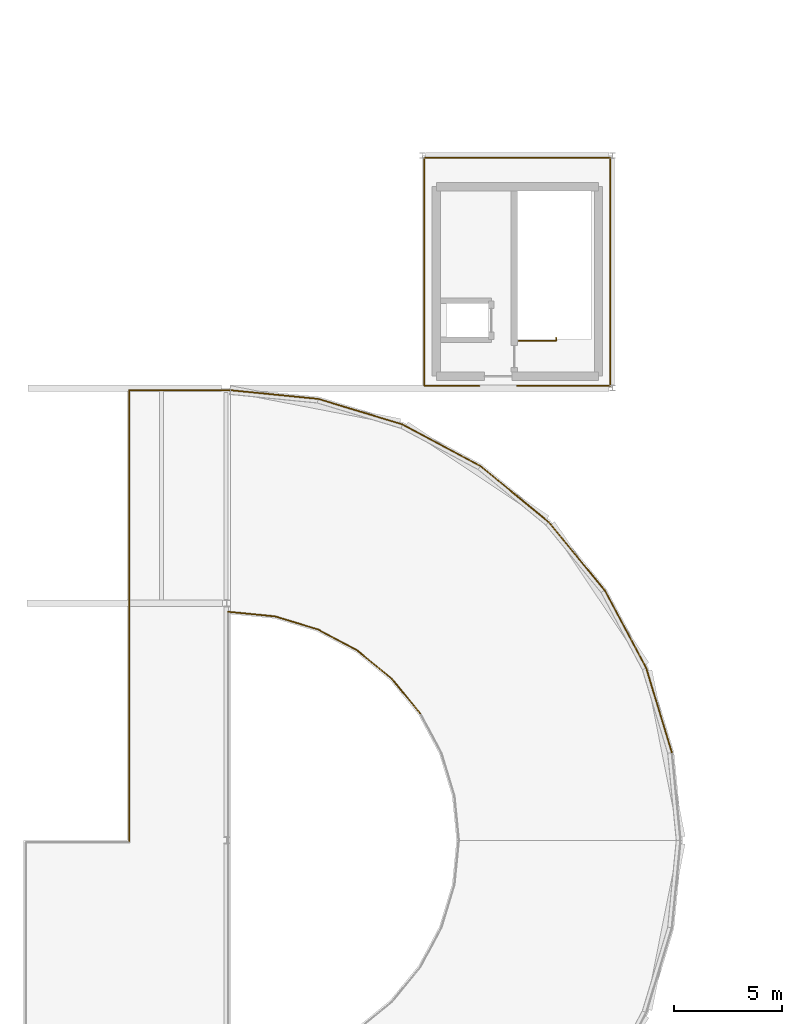
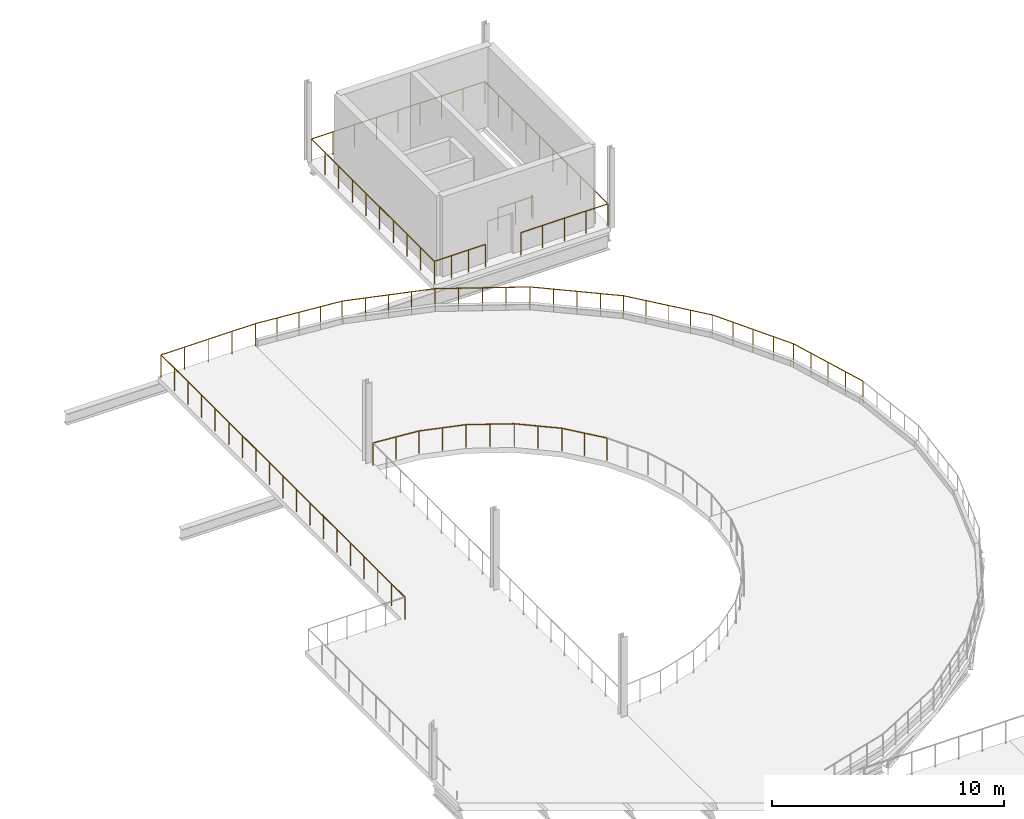
# One storey, part 58 of 58: 20 railings.
"""IFC4 building model written with IfcOpenShell, lengths in metres."""

from ifc_helpers import new_model, si_unit, direction, frame, origin, origin_2d, place, context, subcontext, project, spatial, circle, extrude, material, type_object, element, save


model = new_model("IFC4")

# Units and contexts
model_context = context("Model", 3, precision=1e-05, world=origin(), true_north=direction((0.0, 1.0)))
body_context = subcontext(model_context, "Body", "Model", "MODEL_VIEW")
ifc_project = project(units=[si_unit("LENGTHUNIT", "METRE"), si_unit("AREAUNIT", "SQUARE_METRE"), si_unit("VOLUMEUNIT", "CUBIC_METRE"), si_unit("PLANEANGLEUNIT", "RADIAN"), si_unit("MASSUNIT", "GRAM", prefix="KILO")], contexts=[model_context])

# Site, building, storey
site_placement = place(None, origin())
site = spatial("IfcSite", under=ifc_project, at=site_placement, CompositionType="ELEMENT")
building_placement = place(site_placement, origin())
building = spatial("IfcBuilding", under=site, at=building_placement, Name="Yeouljin Market Hall", CompositionType="ELEMENT")
storey_placement = place(building_placement, frame((0.0, 0.0, 10.800048828125)))
storey = spatial("IfcBuildingStorey", under=building, at=storey_placement, Name="L02", CompositionType="ELEMENT", Elevation=10.800048828125)

# Railings
ifc_material_1 = material(Name="Wrought Iron and Bronze Gallery Balustrade")
railing_type_1 = type_object("IfcRailingType", Name="Railing_AtriumBalustrade_1200", PredefinedType="BALUSTRADE", material=ifc_material_1)
railing_1_placement = place(storey_placement, frame((136.300048828125, 56.89990234375, 0.0)))
element("IfcRailing", 1, at=railing_1_placement, inside=storey, type_object=railing_type_1, Name="Gallery & deck edge balustrade L02-176", PredefinedType="BALUSTRADE", context=body_context, shape_type="SweptSolid", body=[
    extrude(circle(Radius=0.02392578125, at=origin_2d()), frame((0.0, 0.0, 1.17578125), z_axis=(0.0, 1.0, 0.0), x_axis=(-1.0, 0.0, 0.0)), (0.0, 0.0, 1.0), 21.0),
    extrude(circle(Radius=0.02099609375, at=origin_2d()), origin(), (0.0, 0.0, 1.0), 1.15185546875),
    extrude(circle(Radius=0.02099609375, at=origin_2d()), frame((0.0, 1.166748046875, 0.0)), (0.0, 0.0, 1.0), 1.15185546875),
    extrude(circle(Radius=0.02099609375, at=origin_2d()), frame((0.0, 2.333251953125, 0.0)), (0.0, 0.0, 1.0), 1.15185546875),
    extrude(circle(Radius=0.02099609375, at=origin_2d()), frame((0.0, 3.5, 0.0)), (0.0, 0.0, 1.0), 1.15185546875),
    extrude(circle(Radius=0.02099609375, at=origin_2d()), frame((0.0, 4.666748046875, 0.0)), (0.0, 0.0, 1.0), 1.15185546875),
    extrude(circle(Radius=0.02099609375, at=origin_2d()), frame((0.0, 5.833251953125, 0.0)), (0.0, 0.0, 1.0), 1.15185546875),
    extrude(circle(Radius=0.02099609375, at=origin_2d()), frame((0.0, 7.0, 0.0)), (0.0, 0.0, 1.0), 1.15185546875),
    extrude(circle(Radius=0.02099609375, at=origin_2d()), frame((0.0, 8.166748046875, 0.0)), (0.0, 0.0, 1.0), 1.15185546875),
    extrude(circle(Radius=0.02099609375, at=origin_2d()), frame((0.0, 9.333251953125, 0.0)), (0.0, 0.0, 1.0), 1.15185546875),
    extrude(circle(Radius=0.02099609375, at=origin_2d()), frame((0.0, 10.5, 0.0)), (0.0, 0.0, 1.0), 1.15185546875),
    extrude(circle(Radius=0.02099609375, at=origin_2d()), frame((0.0, 11.666748046875, 0.0)), (0.0, 0.0, 1.0), 1.15185546875),
    extrude(circle(Radius=0.02099609375, at=origin_2d()), frame((0.0, 12.833251953125, 0.0)), (0.0, 0.0, 1.0), 1.15185546875),
    extrude(circle(Radius=0.02099609375, at=origin_2d()), frame((0.0, 14.0, 0.0)), (0.0, 0.0, 1.0), 1.15185546875),
    extrude(circle(Radius=0.02099609375, at=origin_2d()), frame((0.0, 15.166748046875, 0.0)), (0.0, 0.0, 1.0), 1.15185546875),
    extrude(circle(Radius=0.02099609375, at=origin_2d()), frame((0.0, 16.333251953125, 0.0)), (0.0, 0.0, 1.0), 1.15185546875),
    extrude(circle(Radius=0.02099609375, at=origin_2d()), frame((0.0, 17.5, 0.0)), (0.0, 0.0, 1.0), 1.15185546875),
    extrude(circle(Radius=0.02099609375, at=origin_2d()), frame((0.0, 18.666748046875, 0.0)), (0.0, 0.0, 1.0), 1.15185546875),
    extrude(circle(Radius=0.02099609375, at=origin_2d()), frame((0.0, 19.833251953125, 0.0)), (0.0, 0.0, 1.0), 1.15185546875),
    extrude(circle(Radius=0.02099609375, at=origin_2d()), frame((0.0, 21.0, 0.0)), (0.0, 0.0, 1.0), 1.15185546875),
])
railing_2_placement = place(storey_placement, frame((136.300048828125, 77.89990234375, 0.0)))
element("IfcRailing", 2, at=railing_2_placement, inside=storey, type_object=railing_type_1, Name="Gallery & deck edge balustrade L02-177", PredefinedType="BALUSTRADE", context=body_context, shape_type="SweptSolid", body=[
    extrude(circle(Radius=0.02392578125, at=origin_2d()), frame((0.0, 0.0, 1.17578125), z_axis=(1.0, 0.0, 0.0), x_axis=(0.0, 1.0, 0.0)), (0.0, 0.0, 1.0), 4.695068359375),
    extrude(circle(Radius=0.02099609375, at=origin_2d()), origin(), (0.0, 0.0, 1.0), 1.15185546875),
    extrude(circle(Radius=0.02099609375, at=origin_2d()), frame((1.173828125, 0.0, 0.0)), (0.0, 0.0, 1.0), 1.15185546875),
    extrude(circle(Radius=0.02099609375, at=origin_2d()), frame((2.34765625, 0.0, 0.0)), (0.0, 0.0, 1.0), 1.15185546875),
    extrude(circle(Radius=0.02099609375, at=origin_2d()), frame((3.521240234375, 0.0, 0.0)), (0.0, 0.0, 1.0), 1.15185546875),
    extrude(circle(Radius=0.02099609375, at=origin_2d()), frame((4.695068359375, 0.0, 0.0)), (0.0, 0.0, 1.0), 1.15185546875),
])
railing_3_placement = place(storey_placement, frame((140.9951171875, 77.89990234375, 0.0)))
element("IfcRailing", 3, at=railing_3_placement, inside=storey, type_object=railing_type_1, Name="Gallery & deck edge balustrade L02-178", PredefinedType="BALUSTRADE", context=body_context, shape_type="SweptSolid", body=[
    extrude(circle(Radius=0.02392578125, at=origin_2d()), frame((0.0, 0.0, 1.17578125), z_axis=(0.995183999526, -0.098024522889, 0.0), x_axis=(0.098024522889, 0.995183999526, 0.0)), (0.0, 0.0, 1.0), 4.10205078125),
    extrude(circle(Radius=0.02099609375, at=origin_2d()), origin(), (0.0, 0.0, 1.0), 1.15185546875),
    extrude(circle(Radius=0.02099609375, at=origin_2d()), frame((1.0205078125, -0.1005859375, 0.0)), (0.0, 0.0, 1.0), 1.15185546875),
    extrude(circle(Radius=0.02099609375, at=origin_2d()), frame((2.041015625, -0.201171875, 0.0)), (0.0, 0.0, 1.0), 1.15185546875),
    extrude(circle(Radius=0.02099609375, at=origin_2d()), frame((3.061767578125, -0.301513671875, 0.0)), (0.0, 0.0, 1.0), 1.15185546875),
    extrude(circle(Radius=0.02099609375, at=origin_2d()), frame((4.082275390625, -0.402099609375, 0.0)), (0.0, 0.0, 1.0), 1.15185546875),
])
railing_4_placement = place(storey_placement, frame((145.077392578125, 77.497802734375, 0.0)))
element("IfcRailing", 4, at=railing_4_placement, inside=storey, type_object=railing_type_1, Name="Gallery & deck edge balustrade L02-179", PredefinedType="BALUSTRADE", context=body_context, shape_type="SweptSolid", body=[
    extrude(circle(Radius=0.02392578125, at=origin_2d()), frame((0.0, 0.0, 1.17578125), z_axis=(0.956942670569, -0.290276980218, 0.0), x_axis=(0.290276980218, 0.956942670569, 0.0)), (0.0, 0.0, 1.0), 4.096923828125),
    extrude(circle(Radius=0.02099609375, at=origin_2d()), origin(), (0.0, 0.0, 1.0), 1.15185546875),
    extrude(circle(Radius=0.02099609375, at=origin_2d()), frame((0.97998046875, -0.29736328125, 0.0)), (0.0, 0.0, 1.0), 1.15185546875),
    extrude(circle(Radius=0.02099609375, at=origin_2d()), frame((1.960205078125, -0.5947265625, 0.0)), (0.0, 0.0, 1.0), 1.15185546875),
    extrude(circle(Radius=0.02099609375, at=origin_2d()), frame((2.9404296875, -0.891845703125, 0.0)), (0.0, 0.0, 1.0), 1.15185546875),
    extrude(circle(Radius=0.02099609375, at=origin_2d()), frame((3.92041015625, -1.189208984375, 0.0)), (0.0, 0.0, 1.0), 1.15185546875),
])
railing_5_placement = place(storey_placement, frame((148.997802734375, 76.30859375, 0.0)))
element("IfcRailing", 5, at=railing_5_placement, inside=storey, type_object=railing_type_1, Name="Gallery & deck edge balustrade L02-180", PredefinedType="BALUSTRADE", context=body_context, shape_type="SweptSolid", body=[
    extrude(circle(Radius=0.02392578125, at=origin_2d()), frame((0.0, 0.0, 1.17578125), z_axis=(0.881940210989, -0.471361288441, 0.0), x_axis=(0.471361288441, 0.881940210989, 0.0)), (0.0, 0.0, 1.0), 4.096923828125),
    extrude(circle(Radius=0.02099609375, at=origin_2d()), origin(), (0.0, 0.0, 1.0), 1.15185546875),
    extrude(circle(Radius=0.02099609375, at=origin_2d()), frame((0.9033203125, -0.48291015625, 0.0)), (0.0, 0.0, 1.0), 1.15185546875),
    extrude(circle(Radius=0.02099609375, at=origin_2d()), frame((1.806640625, -0.965576171875, 0.0)), (0.0, 0.0, 1.0), 1.15185546875),
    extrude(circle(Radius=0.02099609375, at=origin_2d()), frame((2.7099609375, -1.4482421875, 0.0)), (0.0, 0.0, 1.0), 1.15185546875),
    extrude(circle(Radius=0.02099609375, at=origin_2d()), frame((3.61328125, -1.93115234375, 0.0)), (0.0, 0.0, 1.0), 1.15185546875),
])
railing_6_placement = place(storey_placement, frame((152.611083984375, 74.37744140625, 0.0)))
element("IfcRailing", 6, at=railing_6_placement, inside=storey, type_object=railing_type_1, Name="Gallery & deck edge balustrade L02-181", PredefinedType="BALUSTRADE", context=body_context, shape_type="SweptSolid", body=[
    extrude(circle(Radius=0.02392578125, at=origin_2d()), frame((0.0, 0.0, 1.17578125), z_axis=(0.772976709391, -0.634434399082, 0.0), x_axis=(0.634434399082, 0.772976709391, 0.0)), (0.0, 0.0, 1.0), 4.09716796875),
    extrude(circle(Radius=0.02099609375, at=origin_2d()), origin(), (0.0, 0.0, 1.0), 1.15185546875),
    extrude(circle(Radius=0.02099609375, at=origin_2d()), frame((0.791748046875, -0.64990234375, 0.0)), (0.0, 0.0, 1.0), 1.15185546875),
    extrude(circle(Radius=0.02099609375, at=origin_2d()), frame((1.58349609375, -1.2998046875, 0.0)), (0.0, 0.0, 1.0), 1.15185546875),
    extrude(circle(Radius=0.02099609375, at=origin_2d()), frame((2.375244140625, -1.949462890625, 0.0)), (0.0, 0.0, 1.0), 1.15185546875),
    extrude(circle(Radius=0.02099609375, at=origin_2d()), frame((3.1669921875, -2.599365234375, 0.0)), (0.0, 0.0, 1.0), 1.15185546875),
])
railing_7_placement = place(storey_placement, frame((155.778076171875, 71.778076171875, 0.0)))
element("IfcRailing", 7, at=railing_7_placement, inside=storey, type_object=railing_type_1, Name="Gallery & deck edge balustrade L02-182", PredefinedType="BALUSTRADE", context=body_context, shape_type="SweptSolid", body=[
    extrude(circle(Radius=0.02392578125, at=origin_2d()), frame((0.0, 0.0, 1.17578125), z_axis=(0.634434399082, -0.772976709391, 0.0), x_axis=(0.772976709391, 0.634434399082, 0.0)), (0.0, 0.0, 1.0), 4.09716796875),
    extrude(circle(Radius=0.02099609375, at=origin_2d()), origin(), (0.0, 0.0, 1.0), 1.15185546875),
    extrude(circle(Radius=0.02099609375, at=origin_2d()), frame((0.64990234375, -0.791748046875, 0.0)), (0.0, 0.0, 1.0), 1.15185546875),
    extrude(circle(Radius=0.02099609375, at=origin_2d()), frame((1.2998046875, -1.58349609375, 0.0)), (0.0, 0.0, 1.0), 1.15185546875),
    extrude(circle(Radius=0.02099609375, at=origin_2d()), frame((1.949462890625, -2.375244140625, 0.0)), (0.0, 0.0, 1.0), 1.15185546875),
    extrude(circle(Radius=0.02099609375, at=origin_2d()), frame((2.599365234375, -3.1669921875, 0.0)), (0.0, 0.0, 1.0), 1.15185546875),
])
railing_8_placement = place(storey_placement, frame((158.37744140625, 68.611083984375, 0.0)))
element("IfcRailing", 8, at=railing_8_placement, inside=storey, type_object=railing_type_1, Name="Gallery & deck edge balustrade L02-183", PredefinedType="BALUSTRADE", context=body_context, shape_type="SweptSolid", body=[
    extrude(circle(Radius=0.02392578125, at=origin_2d()), frame((0.0, 0.0, 1.17578125), z_axis=(0.471361288441, -0.881940210989, 0.0), x_axis=(0.881940210989, 0.471361288441, 0.0)), (0.0, 0.0, 1.0), 4.096923828125),
    extrude(circle(Radius=0.02099609375, at=origin_2d()), origin(), (0.0, 0.0, 1.0), 1.15185546875),
    extrude(circle(Radius=0.02099609375, at=origin_2d()), frame((0.48291015625, -0.9033203125, 0.0)), (0.0, 0.0, 1.0), 1.15185546875),
    extrude(circle(Radius=0.02099609375, at=origin_2d()), frame((0.965576171875, -1.806640625, 0.0)), (0.0, 0.0, 1.0), 1.15185546875),
    extrude(circle(Radius=0.02099609375, at=origin_2d()), frame((1.4482421875, -2.7099609375, 0.0)), (0.0, 0.0, 1.0), 1.15185546875),
    extrude(circle(Radius=0.02099609375, at=origin_2d()), frame((1.93115234375, -3.61328125, 0.0)), (0.0, 0.0, 1.0), 1.15185546875),
])
railing_9_placement = place(storey_placement, frame((160.30859375, 64.997802734375, 0.0)))
element("IfcRailing", 9, at=railing_9_placement, inside=storey, type_object=railing_type_1, Name="Gallery & deck edge balustrade L02-184", PredefinedType="BALUSTRADE", context=body_context, shape_type="SweptSolid", body=[
    extrude(circle(Radius=0.02392578125, at=origin_2d()), frame((0.0, 0.0, 1.17578125), z_axis=(0.290276980218, -0.956942670569, 0.0), x_axis=(0.956942670569, 0.290276980218, 0.0)), (0.0, 0.0, 1.0), 4.096923828125),
    extrude(circle(Radius=0.02099609375, at=origin_2d()), origin(), (0.0, 0.0, 1.0), 1.15185546875),
    extrude(circle(Radius=0.02099609375, at=origin_2d()), frame((0.29736328125, -0.97998046875, 0.0)), (0.0, 0.0, 1.0), 1.15185546875),
    extrude(circle(Radius=0.02099609375, at=origin_2d()), frame((0.5947265625, -1.960205078125, 0.0)), (0.0, 0.0, 1.0), 1.15185546875),
    extrude(circle(Radius=0.02099609375, at=origin_2d()), frame((0.891845703125, -2.9404296875, 0.0)), (0.0, 0.0, 1.0), 1.15185546875),
    extrude(circle(Radius=0.02099609375, at=origin_2d()), frame((1.189208984375, -3.92041015625, 0.0)), (0.0, 0.0, 1.0), 1.15185546875),
])
railing_10_placement = place(storey_placement, frame((149.81396484375, 62.889404296875, 0.0)))
element("IfcRailing", 10, at=railing_10_placement, inside=storey, type_object=railing_type_1, Name="Gallery & deck edge balustrade L02-197", PredefinedType="BALUSTRADE", context=body_context, shape_type="SweptSolid", body=[
    extrude(circle(Radius=0.02392578125, at=origin_2d()), frame((0.0, 0.0, 1.17578125), z_axis=(-0.634446234211, 0.772966995347, 0.0), x_axis=(-0.772966995347, -0.634446234211, 0.0)), (0.0, 0.0, 1.0), 2.077880859375),
    extrude(circle(Radius=0.02099609375, at=origin_2d()), origin(), (0.0, 0.0, 1.0), 1.15185546875),
    extrude(circle(Radius=0.02099609375, at=origin_2d()), frame((-0.6591796875, 0.80322265625, 0.0)), (0.0, 0.0, 1.0), 1.15185546875),
    extrude(circle(Radius=0.02099609375, at=origin_2d()), frame((-1.318359375, 1.606201171875, 0.0)), (0.0, 0.0, 1.0), 1.15185546875),
])
railing_11_placement = place(storey_placement, frame((148.49560546875, 64.49560546875, 0.0)))
element("IfcRailing", 11, at=railing_11_placement, inside=storey, type_object=railing_type_1, Name="Gallery & deck edge balustrade L02-198", PredefinedType="BALUSTRADE", context=body_context, shape_type="SweptSolid", body=[
    extrude(circle(Radius=0.02392578125, at=origin_2d()), frame((0.0, 0.0, 1.17578125), z_axis=(-0.772966995347, 0.634446234211, 0.0), x_axis=(-0.634446234211, -0.772966995347, 0.0)), (0.0, 0.0, 1.0), 2.077880859375),
    extrude(circle(Radius=0.02099609375, at=origin_2d()), origin(), (0.0, 0.0, 1.0), 1.15185546875),
    extrude(circle(Radius=0.02099609375, at=origin_2d()), frame((-0.80322265625, 0.6591796875, 0.0)), (0.0, 0.0, 1.0), 1.15185546875),
    extrude(circle(Radius=0.02099609375, at=origin_2d()), frame((-1.606201171875, 1.318359375, 0.0)), (0.0, 0.0, 1.0), 1.15185546875),
])
railing_12_placement = place(storey_placement, frame((146.889404296875, 65.81396484375, 0.0)))
element("IfcRailing", 12, at=railing_12_placement, inside=storey, type_object=railing_type_1, Name="Gallery & deck edge balustrade L02-199", PredefinedType="BALUSTRADE", context=body_context, shape_type="SweptSolid", body=[
    extrude(circle(Radius=0.02392578125, at=origin_2d()), frame((0.0, 0.0, 1.17578125), z_axis=(-0.88194935171, 0.471344185302, 0.0), x_axis=(-0.471344185302, -0.88194935171, 0.0)), (0.0, 0.0, 1.0), 2.078125),
    extrude(circle(Radius=0.02099609375, at=origin_2d()), origin(), (0.0, 0.0, 1.0), 1.15185546875),
    extrude(circle(Radius=0.02099609375, at=origin_2d()), frame((-0.91650390625, 0.48974609375, 0.0)), (0.0, 0.0, 1.0), 1.15185546875),
    extrude(circle(Radius=0.02099609375, at=origin_2d()), frame((-1.832763671875, 0.9794921875, 0.0)), (0.0, 0.0, 1.0), 1.15185546875),
])
railing_13_placement = place(storey_placement, frame((145.056640625, 66.79345703125, 0.0)))
element("IfcRailing", 13, at=railing_13_placement, inside=storey, type_object=railing_type_1, Name="Gallery & deck edge balustrade L02-200", PredefinedType="BALUSTRADE", context=body_context, shape_type="SweptSolid", body=[
    extrude(circle(Radius=0.02392578125, at=origin_2d()), frame((0.0, 0.0, 1.17578125), z_axis=(-0.956932461512, 0.290310633812, 0.0), x_axis=(-0.290310633812, -0.956932461512, 0.0)), (0.0, 0.0, 1.0), 2.078125),
    extrude(circle(Radius=0.02099609375, at=origin_2d()), origin(), (0.0, 0.0, 1.0), 1.15185546875),
    extrude(circle(Radius=0.02099609375, at=origin_2d()), frame((-0.994140625, 0.3017578125, 0.0)), (0.0, 0.0, 1.0), 1.15185546875),
    extrude(circle(Radius=0.02099609375, at=origin_2d()), frame((-1.988525390625, 0.603271484375, 0.0)), (0.0, 0.0, 1.0), 1.15185546875),
])
railing_14_placement = place(storey_placement, frame((143.068115234375, 67.396728515625, 0.0)))
element("IfcRailing", 14, at=railing_14_placement, inside=storey, type_object=railing_type_1, Name="Gallery & deck edge balustrade L02-201", PredefinedType="BALUSTRADE", context=body_context, shape_type="SweptSolid", body=[
    extrude(circle(Radius=0.02392578125, at=origin_2d()), frame((0.0, 0.0, 1.17578125), z_axis=(-0.995181470463, 0.098050195547, 0.0), x_axis=(-0.098050195547, -0.995181470463, 0.0)), (0.0, 0.0, 1.0), 2.1787109375),
    extrude(circle(Radius=0.02099609375, at=origin_2d()), origin(), (0.0, 0.0, 1.0), 1.15185546875),
    extrude(circle(Radius=0.02099609375, at=origin_2d()), frame((-1.083984375, 0.10693359375, 0.0)), (0.0, 0.0, 1.0), 1.15185546875),
    extrude(circle(Radius=0.02099609375, at=origin_2d()), frame((-2.168212890625, 0.213623046875, 0.0)), (0.0, 0.0, 1.0), 1.15185546875),
])
railing_15_placement = place(storey_placement, frame((150.010009765625, 88.699951171875, 0.0)))
element("IfcRailing", 15, at=railing_15_placement, inside=storey, type_object=railing_type_1, Name="Gallery & deck edge balustrade L02-206", PredefinedType="BALUSTRADE", context=body_context, shape_type="SweptSolid", body=[
    extrude(circle(Radius=0.02392578125, at=origin_2d()), frame((0.0, 0.0, 1.17578125), z_axis=(1.0, 0.0, 0.0), x_axis=(0.0, 1.0, 0.0)), (0.0, 0.0, 1.0), 8.6298828125),
    extrude(circle(Radius=0.02099609375, at=origin_2d()), origin(), (0.0, 0.0, 1.0), 1.15185546875),
    extrude(circle(Radius=0.02099609375, at=origin_2d()), frame((1.07861328125, 0.0, 0.0)), (0.0, 0.0, 1.0), 1.15185546875),
    extrude(circle(Radius=0.02099609375, at=origin_2d()), frame((2.157470703125, 0.0, 0.0)), (0.0, 0.0, 1.0), 1.15185546875),
    extrude(circle(Radius=0.02099609375, at=origin_2d()), frame((3.236328125, 0.0, 0.0)), (0.0, 0.0, 1.0), 1.15185546875),
    extrude(circle(Radius=0.02099609375, at=origin_2d()), frame((4.31494140625, 0.0, 0.0)), (0.0, 0.0, 1.0), 1.15185546875),
    extrude(circle(Radius=0.02099609375, at=origin_2d()), frame((5.3935546875, 0.0, 0.0)), (0.0, 0.0, 1.0), 1.15185546875),
    extrude(circle(Radius=0.02099609375, at=origin_2d()), frame((6.472412109375, 0.0, 0.0)), (0.0, 0.0, 1.0), 1.15185546875),
    extrude(circle(Radius=0.02099609375, at=origin_2d()), frame((7.55126953125, 0.0, 0.0)), (0.0, 0.0, 1.0), 1.15185546875),
    extrude(circle(Radius=0.02099609375, at=origin_2d()), frame((8.6298828125, 0.0, 0.0)), (0.0, 0.0, 1.0), 1.15185546875),
])
railing_16_placement = place(storey_placement, frame((158.639892578125, 88.699951171875, 0.0)))
element("IfcRailing", 16, at=railing_16_placement, inside=storey, type_object=railing_type_1, Name="Gallery & deck edge balustrade L02-207", PredefinedType="BALUSTRADE", context=body_context, shape_type="SweptSolid", body=[
    extrude(circle(Radius=0.02392578125, at=origin_2d()), frame((0.0, 0.0, 1.17578125), z_axis=(0.0, -1.0, 0.0), x_axis=(1.0, 0.0, 0.0)), (0.0, 0.0, 1.0), 10.599853515625),
    extrude(circle(Radius=0.02099609375, at=origin_2d()), origin(), (0.0, 0.0, 1.0), 1.15185546875),
    extrude(circle(Radius=0.02099609375, at=origin_2d()), frame((0.0, -1.177734375, 0.0)), (0.0, 0.0, 1.0), 1.15185546875),
    extrude(circle(Radius=0.02099609375, at=origin_2d()), frame((0.0, -2.35546875, 0.0)), (0.0, 0.0, 1.0), 1.15185546875),
    extrude(circle(Radius=0.02099609375, at=origin_2d()), frame((0.0, -3.533203125, 0.0)), (0.0, 0.0, 1.0), 1.15185546875),
    extrude(circle(Radius=0.02099609375, at=origin_2d()), frame((0.0, -4.7109375, 0.0)), (0.0, 0.0, 1.0), 1.15185546875),
    extrude(circle(Radius=0.02099609375, at=origin_2d()), frame((0.0, -5.888916015625, 0.0)), (0.0, 0.0, 1.0), 1.15185546875),
    extrude(circle(Radius=0.02099609375, at=origin_2d()), frame((0.0, -7.066650390625, 0.0)), (0.0, 0.0, 1.0), 1.15185546875),
    extrude(circle(Radius=0.02099609375, at=origin_2d()), frame((0.0, -8.244384765625, 0.0)), (0.0, 0.0, 1.0), 1.15185546875),
    extrude(circle(Radius=0.02099609375, at=origin_2d()), frame((0.0, -9.422119140625, 0.0)), (0.0, 0.0, 1.0), 1.15185546875),
    extrude(circle(Radius=0.02099609375, at=origin_2d()), frame((0.0, -10.599853515625, 0.0)), (0.0, 0.0, 1.0), 1.15185546875),
])
railing_17_placement = place(storey_placement, frame((158.639892578125, 78.10009765625, 0.0)))
element("IfcRailing", 17, at=railing_17_placement, inside=storey, type_object=railing_type_1, Name="Gallery & deck edge balustrade L02-208", PredefinedType="BALUSTRADE", context=body_context, shape_type="SweptSolid", body=[
    extrude(circle(Radius=0.02392578125, at=origin_2d()), frame((0.0, 0.0, 1.17578125), z_axis=(-1.0, 0.0, 0.0), x_axis=(0.0, -1.0, 0.0)), (0.0, 0.0, 1.0), 4.328857421875),
    extrude(circle(Radius=0.02099609375, at=origin_2d()), origin(), (0.0, 0.0, 1.0), 1.15185546875),
    extrude(circle(Radius=0.02099609375, at=origin_2d()), frame((-1.082275390625, 0.0, 0.0)), (0.0, 0.0, 1.0), 1.15185546875),
    extrude(circle(Radius=0.02099609375, at=origin_2d()), frame((-2.16455078125, 0.0, 0.0)), (0.0, 0.0, 1.0), 1.15185546875),
    extrude(circle(Radius=0.02099609375, at=origin_2d()), frame((-3.24658203125, 0.0, 0.0)), (0.0, 0.0, 1.0), 1.15185546875),
    extrude(circle(Radius=0.02099609375, at=origin_2d()), frame((-4.328857421875, 0.0, 0.0)), (0.0, 0.0, 1.0), 1.15185546875),
])
railing_18_placement = place(storey_placement, frame((152.549072265625, 78.10009765625, 0.0)))
element("IfcRailing", 18, at=railing_18_placement, inside=storey, type_object=railing_type_1, Name="Gallery & deck edge balustrade L02-209", PredefinedType="BALUSTRADE", context=body_context, shape_type="SweptSolid", body=[
    extrude(circle(Radius=0.02392578125, at=origin_2d()), frame((0.0, 0.0, 1.17578125), z_axis=(-1.0, 0.0, 0.0), x_axis=(0.0, -1.0, 0.0)), (0.0, 0.0, 1.0), 2.5390625),
    extrude(circle(Radius=0.02099609375, at=origin_2d()), origin(), (0.0, 0.0, 1.0), 1.15185546875),
    extrude(circle(Radius=0.02099609375, at=origin_2d()), frame((-0.846435546875, 0.0, 0.0)), (0.0, 0.0, 1.0), 1.15185546875),
    extrude(circle(Radius=0.02099609375, at=origin_2d()), frame((-1.692626953125, 0.0, 0.0)), (0.0, 0.0, 1.0), 1.15185546875),
    extrude(circle(Radius=0.02099609375, at=origin_2d()), frame((-2.5390625, 0.0, 0.0)), (0.0, 0.0, 1.0), 1.15185546875),
])
railing_19_placement = place(storey_placement, frame((150.010009765625, 78.10009765625, 0.0)))
element("IfcRailing", 19, at=railing_19_placement, inside=storey, type_object=railing_type_1, Name="Gallery & deck edge balustrade L02-210", PredefinedType="BALUSTRADE", context=body_context, shape_type="SweptSolid", body=[
    extrude(circle(Radius=0.02392578125, at=origin_2d()), frame((0.0, 0.0, 1.17578125), z_axis=(0.0, 1.0, 0.0), x_axis=(-1.0, 0.0, 0.0)), (0.0, 0.0, 1.0), 10.599853515625),
    extrude(circle(Radius=0.02099609375, at=origin_2d()), origin(), (0.0, 0.0, 1.0), 1.15185546875),
    extrude(circle(Radius=0.02099609375, at=origin_2d()), frame((0.0, 1.177734375, 0.0)), (0.0, 0.0, 1.0), 1.15185546875),
    extrude(circle(Radius=0.02099609375, at=origin_2d()), frame((0.0, 2.35546875, 0.0)), (0.0, 0.0, 1.0), 1.15185546875),
    extrude(circle(Radius=0.02099609375, at=origin_2d()), frame((0.0, 3.533203125, 0.0)), (0.0, 0.0, 1.0), 1.15185546875),
    extrude(circle(Radius=0.02099609375, at=origin_2d()), frame((0.0, 4.7109375, 0.0)), (0.0, 0.0, 1.0), 1.15185546875),
    extrude(circle(Radius=0.02099609375, at=origin_2d()), frame((0.0, 5.888916015625, 0.0)), (0.0, 0.0, 1.0), 1.15185546875),
    extrude(circle(Radius=0.02099609375, at=origin_2d()), frame((0.0, 7.066650390625, 0.0)), (0.0, 0.0, 1.0), 1.15185546875),
    extrude(circle(Radius=0.02099609375, at=origin_2d()), frame((0.0, 8.244384765625, 0.0)), (0.0, 0.0, 1.0), 1.15185546875),
    extrude(circle(Radius=0.02099609375, at=origin_2d()), frame((0.0, 9.422119140625, 0.0)), (0.0, 0.0, 1.0), 1.15185546875),
    extrude(circle(Radius=0.02099609375, at=origin_2d()), frame((0.0, 10.599853515625, 0.0)), (0.0, 0.0, 1.0), 1.15185546875),
])
ifc_material_2 = material(Name="Painted Steel Stair Guardrail", Category="steel")
railing_type_2 = type_object("IfcRailingType", Name="Railing_StairGuard_1200", PredefinedType="GUARDRAIL", material=ifc_material_2)
railing_20_placement = place(storey_placement, frame((154.389892578125, 80.18994140625, 0.0)))
element("IfcRailing", 20, at=railing_20_placement, inside=storey, type_object=railing_type_2, Name="Stair ST-C4-L01 top-floor well guardrail", PredefinedType="GUARDRAIL", context=body_context, shape_type="SweptSolid", body=[
    extrude(circle(Radius=0.02392578125, at=origin_2d()), frame((0.0, 0.0, 1.17578125), z_axis=(1.0, 0.0, 0.0), x_axis=(0.0, 1.0, 0.0)), (0.0, 0.0, 1.0), 1.730224609375),
    extrude(circle(Radius=0.02392578125, at=origin_2d()), frame((1.730224609375, 0.0, 1.17578125), z_axis=(0.0, 1.0, 0.0), x_axis=(-1.0, 0.0, 0.0)), (0.0, 0.0, 1.0), 0.14013671875),
    extrude(circle(Radius=0.02099609375, at=origin_2d()), origin(), (0.0, 0.0, 1.0), 1.15185546875),
    extrude(circle(Radius=0.02099609375, at=origin_2d()), frame((0.865234375, 0.0, 0.0)), (0.0, 0.0, 1.0), 1.15185546875),
    extrude(circle(Radius=0.02099609375, at=origin_2d()), frame((1.730224609375, 0.0, 0.0)), (0.0, 0.0, 1.0), 1.15185546875),
    extrude(circle(Radius=0.02099609375, at=origin_2d()), frame((1.730224609375, 0.14013671875, 0.0)), (0.0, 0.0, 1.0), 1.15185546875),
])

save(model, "model.ifc")
